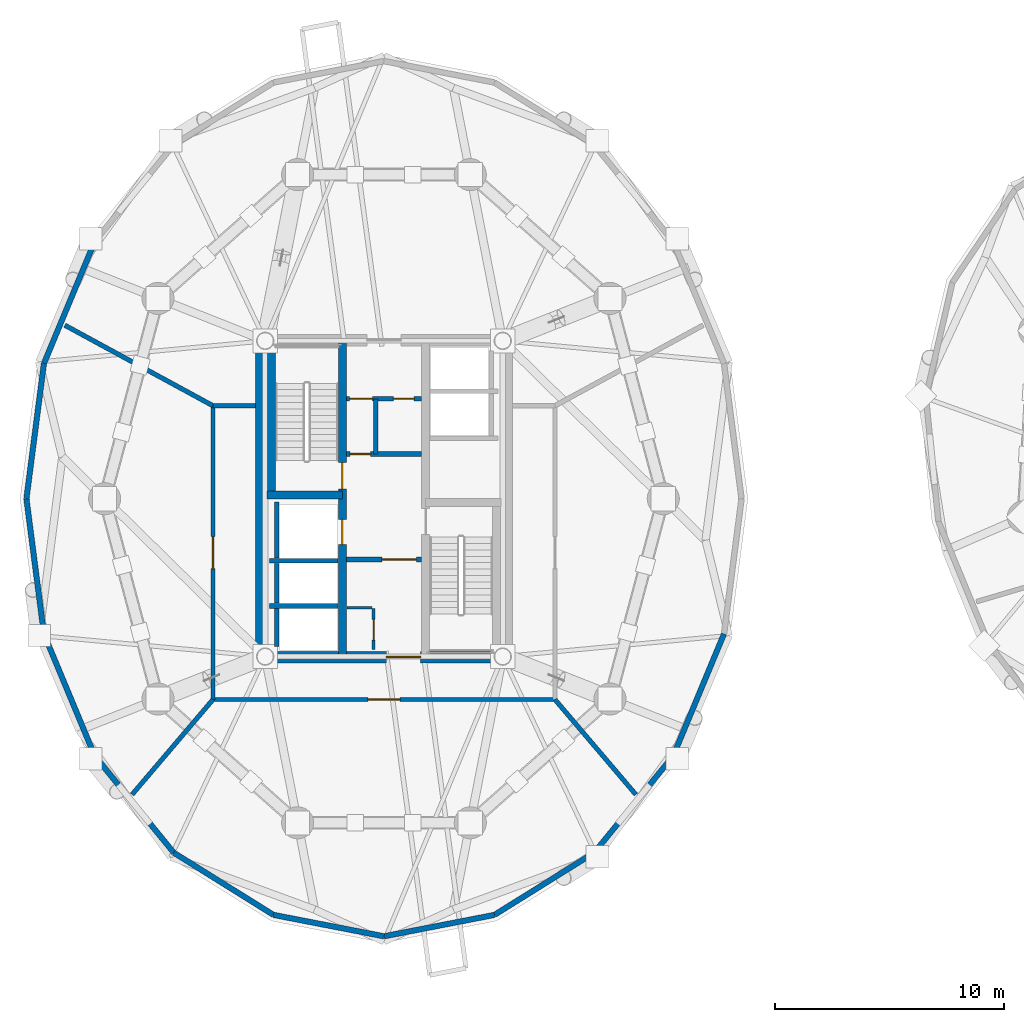
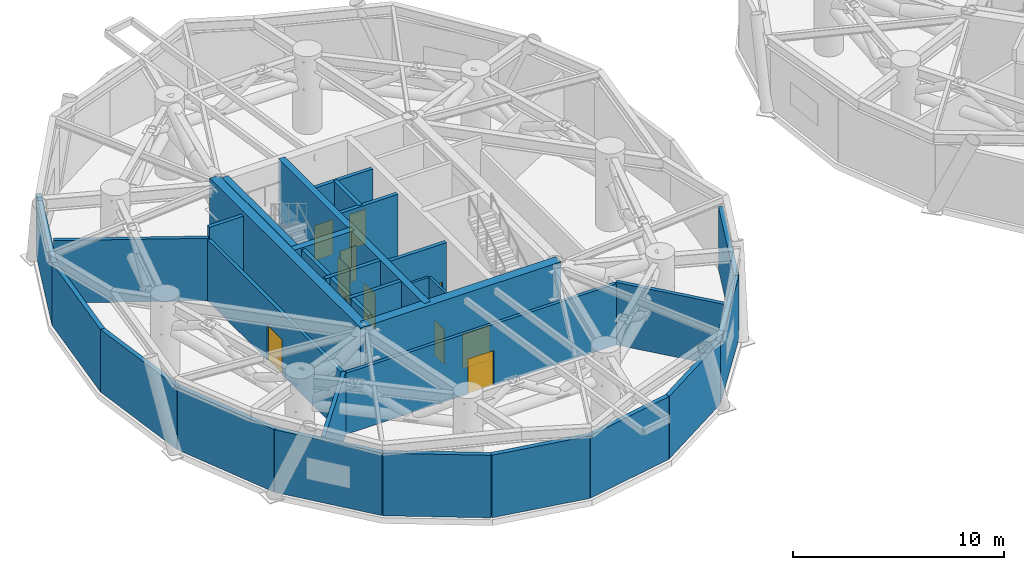
# One storey, part 10 of 16: 33 walls, 10 doors, 10 openings.
"""IFC4 building model written with IfcOpenShell, lengths in metres."""

from ifc_helpers import new_model, si_unit, direction, frame, frame_2d, origin, place, context, subcontext, project, spatial, rectangle, extrude, source, transform, mapped, material, layer, layer_set, type_object, element, fill, save


model = new_model("IFC4")

# Units and contexts
model_context = context("Model", 3, precision=1e-05, world=origin(), true_north=direction((0.0, 1.0)))
body_context = subcontext(model_context, "Body", "Model", "MODEL_VIEW")
ifc_project = project(units=[si_unit("LENGTHUNIT", "METRE"), si_unit("AREAUNIT", "SQUARE_METRE"), si_unit("VOLUMEUNIT", "CUBIC_METRE"), si_unit("PLANEANGLEUNIT", "RADIAN"), si_unit("MASSUNIT", "GRAM", prefix="KILO")], contexts=[model_context])

# Site, building, storey
site_placement = place(None, origin())
site = spatial("IfcSite", under=ifc_project, at=site_placement, CompositionType="ELEMENT")
building_placement = place(site_placement, origin())
building = spatial("IfcBuilding", under=site, at=building_placement, Name="Cununo Teusaquillo Station Towers", CompositionType="ELEMENT")
storey_placement = place(building_placement, frame((0.0, 0.0, 65.64990234375)))
storey = spatial("IfcBuildingStorey", under=building, at=storey_placement, Name="L20", CompositionType="ELEMENT", Elevation=65.64990234375)

# Walls
ifc_material_1 = material(Name="Concrete C50/60", Category="concrete")
ifc_layer_1 = layer(ifc_material_1, 0.199951171875)
ifc_layer_set_1 = layer_set([ifc_layer_1], Name="Concrete C50/60")
wall_type_1 = type_object("IfcWallType", Name="WL-CORE-200", PredefinedType="SHEAR", material=ifc_layer_set_1)
wall_1_placement = place(storey_placement, frame((11.52001953125, 21.800048828125, 0.0), z_axis=(0.0, 0.0, 1.0), x_axis=(1.0, 0.0, 0.0)))
element("IfcWall", 1, at=wall_1_placement, inside=storey, type_object=wall_type_1, Name="L20 Tower A Firefighting Lift Shaft South Shear Wall", PredefinedType="SHEAR", context=body_context, shape_type="SweptSolid", body=[
    extrude(rectangle(XDim=2.969970703125, YDim=0.199951171875, at=frame_2d((1.48486328125, 0.0))), origin(), (0.0, 0.0, 1.0), 4.5),
])
wall_2_placement = place(storey_placement, frame((11.820068359375, 21.919921875, 0.0), z_axis=(0.0, 0.0, 1.0), x_axis=(0.0, 1.0, 0.0)))
element("IfcWall", 2, at=wall_2_placement, inside=storey, type_object=wall_type_1, Name="L20 Tower A Firefighting Lift Shaft Rear Shear Wall", PredefinedType="SHEAR", context=body_context, shape_type="SweptSolid", body=[
    extrude(rectangle(XDim=2.440185546875, YDim=0.199951171875, at=frame_2d((1.22021484375, 0.0))), origin(), (0.0, 0.0, 1.0), 4.5),
])
wall_3_placement = place(storey_placement, frame((11.52001953125, 19.824951171875, 0.0), z_axis=(0.0, 0.0, 1.0), x_axis=(1.0, 0.0, 0.0)))
element("IfcWall", 3, at=wall_3_placement, inside=storey, type_object=wall_type_1, Name="L20 Tower A High-Rise Lift Hoistway Divider Shear Wall", PredefinedType="SHEAR", context=body_context, shape_type="SweptSolid", body=[
    extrude(rectangle(XDim=2.969970703125, YDim=0.199951171875, at=frame_2d((1.48486328125, 0.0))), origin(), (0.0, 0.0, 1.0), 4.5),
])
wall_4_placement = place(storey_placement, frame((11.820068359375, 19.945068359375, 0.0), z_axis=(0.0, 0.0, 1.0), x_axis=(0.0, 1.0, 0.0)))
element("IfcWall", 4, at=wall_4_placement, inside=storey, type_object=wall_type_1, Name="L20 Tower A High-Rise Lift 2 Shaft Rear Shear Wall", PredefinedType="SHEAR", context=body_context, shape_type="SweptSolid", body=[
    extrude(rectangle(XDim=1.73486328125, YDim=0.199951171875, at=frame_2d((0.867431640625, 0.0))), origin(), (0.0, 0.0, 1.0), 4.5),
])
wall_5_placement = place(storey_placement, frame((11.820068359375, 18.070068359375, 0.0), z_axis=(0.0, 0.0, 1.0), x_axis=(0.0, 1.0, 0.0)))
element("IfcWall", 5, at=wall_5_placement, inside=storey, type_object=wall_type_1, Name="L20 Tower A High-Rise Lift 1 Shaft Rear Shear Wall", PredefinedType="SHEAR", context=body_context, shape_type="SweptSolid", body=[
    extrude(rectangle(XDim=1.635009765625, YDim=0.199951171875, at=frame_2d((0.8173828125, 0.0))), origin(), (0.0, 0.0, 1.0), 4.5),
])

# Wall, openings, doors
ifc_material_2 = material(Name="Concrete C50/60", Category="concrete")
ifc_layer_2 = layer(ifc_material_2, 0.35009765625)
ifc_layer_set_2 = layer_set([ifc_layer_2], Name="Concrete C50/60")
wall_type_2 = type_object("IfcWallType", Name="WL-CORE-350", PredefinedType="SHEAR", material=ifc_layer_set_2)
wall_6_placement = place(storey_placement, frame((14.68505859375, 17.60009765625, 0.0), z_axis=(0.0, 0.0, 1.0), x_axis=(0.0, 1.0, 0.0)))
wall_6 = element("IfcWall", 6, at=wall_6_placement, inside=storey, type_object=wall_type_2, Name="L20 Tower A Core Shear Wall IW", PredefinedType="SHEAR", context=body_context, shape_type="SweptSolid", body=[
    extrude(rectangle(XDim=13.7998046875, YDim=0.35009765625, at=frame_2d((6.89990234375, 0.0))), origin(), (0.0, 0.0, 1.0), 4.5),
])
shared_shape_1 = source(origin(), body_context, "Body", "SweptSolid", [
    extrude(rectangle(XDim=1.10009765625, YDim=2.014892578125, at=frame_2d((0.550048828125, 1.00732421875))), frame((0.0, 0.18505859375, 0.0), z_axis=(0.0, -1.0, 0.0), x_axis=(1.0, 0.0, 0.0)), (0.0, 0.0, 1.0), 0.3701171875),
])
opening_1_placement = place(wall_6_placement, frame((4.89990234375, 0.0, 0.0)))
opening_1 = element("IfcOpeningElement", 7, at=opening_1_placement, cuts=wall_6, Name="Opening LD-01", PredefinedType="OPENING", context=body_context, shape_type="MappedRepresentation", body=[
    mapped(shared_shape_1, transform((0.0, 0.0, 0.0), x_axis=(1.0, 0.0, 0.0), y_axis=(0.0, 1.0, 0.0), z_axis=(0.0, 0.0, 1.0), scale=1.0)),
])
shared_shape_2 = source(origin(), body_context, "Body", "SweptSolid", [
    extrude(rectangle(XDim=1.14990234375, YDim=2.02001953125, at=frame_2d((0.574951171875, 1.010009765625))), frame((0.0, 0.18505859375, 0.0), z_axis=(0.0, -1.0, 0.0), x_axis=(1.0, 0.0, 0.0)), (0.0, 0.0, 1.0), 0.3701171875),
])
opening_2_placement = place(wall_6_placement, frame((7.320068359375, 0.0, 0.0)))
opening_2 = element("IfcOpeningElement", 8, at=opening_2_placement, cuts=wall_6, Name="Opening D-ST1", PredefinedType="OPENING", context=body_context, shape_type="MappedRepresentation", body=[
    mapped(shared_shape_2, transform((0.0, 0.0, 0.0), x_axis=(1.0, 0.0, 0.0), y_axis=(0.0, 1.0, 0.0), z_axis=(0.0, 0.0, 1.0), scale=1.0)),
])
ifc_material_3 = material(Name="Galvanised fire-rated hollow steel door assembly", Category="steel")
door_type_1 = type_object("IfcDoorType", Name="DR-LIFT-1100", OperationType="SLIDING_TO_LEFT", PredefinedType="DOOR", material=ifc_material_3)
shared_shape_3 = source(origin(), body_context, "Body", "SweptSolid", [
    extrude(rectangle(XDim=1.10009765625, YDim=2.014892578125, at=frame_2d((0.550048828125, 1.00732421875))), frame((0.0, 0.02490234375, 0.0), z_axis=(0.0, -1.0, 0.0), x_axis=(1.0, 0.0, 0.0)), (0.0, 0.0, 1.0), 0.050048828125),
])
door_1_placement = place(opening_1_placement, origin())
door_1 = element("IfcDoor", 9, at=door_1_placement, inside=storey, type_object=door_type_1, Name="L20 Lift FL-T1 Sliding Landing Door", OperationType="SLIDING_TO_LEFT", OverallHeight=2.014892578125, OverallWidth=1.10009765625, PredefinedType="DOOR", context=body_context, shape_type="MappedRepresentation", body=[
    mapped(shared_shape_3, transform((0.0, 0.0, 0.0), x_axis=(1.0, 0.0, 0.0), y_axis=(0.0, 1.0, 0.0), z_axis=(0.0, 0.0, 1.0), scale=1.0)),
])
fill(opening_1, door_1)
ifc_material_4 = material(Name="Galvanised fire-rated hollow steel door assembly", Category="steel")
door_type_2 = type_object("IfcDoorType", Name="DR-STAIR-1150", OperationType="NOTDEFINED", PredefinedType="DOOR", material=ifc_material_4)
shared_shape_4 = source(origin(), body_context, "Body", "SweptSolid", [
    extrude(rectangle(XDim=1.14990234375, YDim=2.02001953125, at=frame_2d((0.574951171875, 1.010009765625))), frame((0.0, 0.02490234375, 0.0), z_axis=(0.0, -1.0, 0.0), x_axis=(1.0, 0.0, 0.0)), (0.0, 0.0, 1.0), 0.050048828125),
])
door_2_placement = place(opening_2_placement, origin())
door_2 = element("IfcDoor", 10, at=door_2_placement, inside=storey, type_object=door_type_2, Name="L20 Tower A Exit Stair 1 Fire Door", OperationType="SINGLE_SWING_LEFT", OverallHeight=2.02001953125, OverallWidth=1.14990234375, PredefinedType="DOOR", context=body_context, shape_type="MappedRepresentation", body=[
    mapped(shared_shape_4, transform((0.0, 0.0, 0.0), x_axis=(1.0, 0.0, 0.0), y_axis=(0.0, 1.0, 0.0), z_axis=(0.0, 0.0, 1.0), scale=1.0)),
])
fill(opening_2, door_2)

# Walls
wall_7_placement = place(storey_placement, frame((11.594970703125, 24.655029296875, 0.0), z_axis=(0.0, 0.0, 1.0), x_axis=(0.0, 1.0, 0.0)))
element("IfcWall", 11, at=wall_7_placement, inside=storey, type_object=wall_type_2, Name="L20 Tower A Core Shear Wall ST1W", PredefinedType="SHEAR", context=body_context, shape_type="SweptSolid", body=[
    extrude(rectangle(XDim=6.744873046875, YDim=0.35009765625, at=frame_2d((3.37255859375, 0.0))), origin(), (0.0, 0.0, 1.0), 4.5),
])
wall_8_placement = place(storey_placement, frame((11.39990234375, 24.655029296875, 0.0), z_axis=(0.0, 0.0, 1.0), x_axis=(1.0, 0.0, 0.0)))
element("IfcWall", 12, at=wall_8_placement, inside=storey, type_object=wall_type_2, Name="L20 Tower A Core Shear Wall ST1S", PredefinedType="SHEAR", context=body_context, shape_type="SweptSolid", body=[
    extrude(rectangle(XDim=3.28515625, YDim=0.35009765625, at=frame_2d((1.642578125, 0.0))), origin(), (0.0, 0.0, 1.0), 4.5),
])
ifc_material_5 = material(Name="Concrete C60/75", Category="concrete")
ifc_layer_3 = layer(ifc_material_5, 0.5)
ifc_layer_set_3 = layer_set([ifc_layer_3], Name="Concrete C60/75")
wall_type_3 = type_object("IfcWallType", Name="WL-CORE-500", PredefinedType="SHEAR", material=ifc_layer_set_3)
wall_9_placement = place(storey_placement, frame((11.14990234375, 17.35009765625, 0.0), z_axis=(0.0, 0.0, 1.0), x_axis=(0.0, 1.0, 0.0)))
element("IfcWall", 13, at=wall_9_placement, inside=storey, type_object=wall_type_3, Name="L20 Tower A Core Shear Wall W", PredefinedType="SHEAR", context=body_context, shape_type="SweptSolid", body=[
    extrude(rectangle(XDim=14.2998046875, YDim=0.5, at=frame_2d((7.14990234375, 0.0))), origin(), (0.0, 0.0, 1.0), 4.5),
])

# Wall, opening, door
wall_10_placement = place(storey_placement, frame((11.14990234375, 17.60009765625, 0.0), z_axis=(0.0, 0.0, 1.0), x_axis=(1.0, 0.0, 0.0)))
wall_10 = element("IfcWall", 14, at=wall_10_placement, inside=storey, type_object=wall_type_3, Name="L20 Tower A Core Shear Wall S", PredefinedType="SHEAR", context=body_context, shape_type="SweptSolid", body=[
    extrude(rectangle(XDim=10.7001953125, YDim=0.5, at=frame_2d((5.35009765625, 0.0))), origin(), (0.0, 0.0, 1.0), 4.5),
])
shared_shape_5 = source(origin(), body_context, "Body", "SweptSolid", [
    extrude(rectangle(XDim=1.5, YDim=2.02001953125, at=frame_2d((0.75, 1.010009765625))), frame((0.0, 0.260009765625, 0.0), z_axis=(0.0, -1.0, 0.0), x_axis=(1.0, 0.0, 0.0)), (0.0, 0.0, 1.0), 0.52001953125),
])
opening_3_placement = place(wall_10_placement, frame((5.449951171875, 0.0, 0.0)))
opening_3 = element("IfcOpeningElement", 15, at=opening_3_placement, cuts=wall_10, Name="Opening D-LB1", PredefinedType="OPENING", context=body_context, shape_type="MappedRepresentation", body=[
    mapped(shared_shape_5, transform((0.0, 0.0, 0.0), x_axis=(1.0, 0.0, 0.0), y_axis=(0.0, 1.0, 0.0), z_axis=(0.0, 0.0, 1.0), scale=1.0)),
])
ifc_material_6 = material(Name="Galvanised fire-rated hollow steel door assembly", Category="steel")
door_type_3 = type_object("IfcDoorType", Name="DR-LOBBY-1500", OperationType="DOUBLE_DOOR_SINGLE_SWING", PredefinedType="DOOR", material=ifc_material_6)
shared_shape_6 = source(origin(), body_context, "Body", "SweptSolid", [
    extrude(rectangle(XDim=1.5, YDim=2.02001953125, at=frame_2d((0.75, 1.010009765625))), frame((0.0, 0.02490234375, 0.0), z_axis=(0.0, -1.0, 0.0), x_axis=(1.0, 0.0, 0.0)), (0.0, 0.0, 1.0), 0.050048828125),
])
door_3_placement = place(opening_3_placement, origin())
door_3 = element("IfcDoor", 16, at=door_3_placement, inside=storey, type_object=door_type_3, Name="L20 Tower A South Core Lift Lobby Door", OperationType="DOUBLE_DOOR_SINGLE_SWING", OverallHeight=2.02001953125, OverallWidth=1.5, PredefinedType="DOOR", context=body_context, shape_type="MappedRepresentation", body=[
    mapped(shared_shape_6, transform((0.0, 0.0, 0.0), x_axis=(1.0, 0.0, 0.0), y_axis=(0.0, 1.0, 0.0), z_axis=(0.0, 0.0, 1.0), scale=1.0)),
])
fill(opening_3, door_3)

# Walls
ifc_material_7 = material(Name="Precast concrete C40/50", Category="concrete")
ifc_layer_4 = layer(ifc_material_7, 0.239990234375)
ifc_layer_set_4 = layer_set([ifc_layer_4], Name="Precast concrete C40/50")
wall_type_4 = type_object("IfcWallType", Name="WL-EXT-240", PredefinedType="SOLIDWALL", material=ifc_layer_set_4)
wall_11_placement = place(storey_placement, frame((1.681640625, 30.39306640625, 0.0), z_axis=(0.0, 0.0, 1.0), x_axis=(0.384344417632, 0.923189779317, 0.0)))
element("IfcWall", 17, at=wall_11_placement, inside=storey, type_object=wall_type_4, Name="L20 Tower A Exterior Facade Wall C08", PredefinedType="SOLIDWALL", context=body_context, shape_type="SweptSolid", body=[
    extrude(rectangle(XDim=5.75830078125, YDim=0.239990234375, at=frame_2d((2.879150390625, 0.0))), origin(), (0.0, 0.0, 1.0), 3.6162109375),
])
for number, where, z_axis, x_axis, name in (
    (18, (0.9189453125, 24.5, 0.0), (0.0, 0.0, 1.0), (0.128351991996, 0.991728675672, 0.0), "L20 Tower A Exterior Facade Wall C09"),
    (19, (1.681640625, 18.60693359375, 0.0), (0.0, 0.0, 1.0), (-0.128351991996, 0.991728675672, 0.0), "L20 Tower A Exterior Facade Wall C10"),
):
    element("IfcWall", number, at=place(storey_placement, frame(where, z_axis=z_axis, x_axis=x_axis)), inside=storey, type_object=wall_type_4, Name=name, PredefinedType="SOLIDWALL", context=body_context, shape_type="SweptSolid", body=[
        extrude(rectangle(XDim=5.942138671875, YDim=0.239990234375, at=frame_2d((2.97119140625, 0.0))), origin(), (0.0, 0.0, 1.0), 3.6162109375),
    ])
wall_12_placement = place(storey_placement, frame((3.894775390625, 13.291015625, 0.0), z_axis=(0.0, 0.0, 1.0), x_axis=(-0.384344417632, 0.923189779317, 0.0)))
element("IfcWall", 20, at=wall_12_placement, inside=storey, type_object=wall_type_4, Name="L20 Tower A Exterior Facade Wall C11", PredefinedType="SOLIDWALL", context=body_context, shape_type="SweptSolid", body=[
    extrude(rectangle(XDim=5.75830078125, YDim=0.239990234375, at=frame_2d((2.879150390625, 0.0))), origin(), (0.0, 0.0, 1.0), 3.6162109375),
])
wall_13_placement = place(storey_placement, frame((7.341796875, 9.072021484375, 0.0), z_axis=(0.0, 0.0, 1.0), x_axis=(-0.632700781152, 0.77439635945, 0.0)))
element("IfcWall", 21, at=wall_13_placement, inside=storey, type_object=wall_type_4, Name="L20 Tower A Exterior Facade Wall C12", PredefinedType="SOLIDWALL", context=body_context, shape_type="SweptSolid", body=[
    extrude(rectangle(XDim=5.447998046875, YDim=0.239990234375, at=frame_2d((2.72412109375, 0.0))), origin(), (0.0, 0.0, 1.0), 3.6162109375),
])
wall_14_placement = place(storey_placement, frame((11.685302734375, 6.36328125, 0.0), z_axis=(0.0, 0.0, 1.0), x_axis=(-0.848520380187, 0.529162701263, 0.0)))
element("IfcWall", 22, at=wall_14_placement, inside=storey, type_object=wall_type_4, Name="L20 Tower A Exterior Facade Wall C13", PredefinedType="SOLIDWALL", context=body_context, shape_type="SweptSolid", body=[
    extrude(rectangle(XDim=5.118896484375, YDim=0.239990234375, at=frame_2d((2.5595703125, 0.0))), origin(), (0.0, 0.0, 1.0), 3.6162109375),
])
for number, where, z_axis, x_axis, name in (
    (23, (16.5, 5.429931640625, 0.0), (0.0, 0.0, 1.0), (-0.981723785992, 0.190311344954, 0.0), "L20 Tower A Exterior Facade Wall C14"),
    (24, (21.314697265625, 6.36328125, 0.0), (0.0, 0.0, 1.0), (-0.981723785992, -0.190311344954, 0.0), "L20 Tower A Exterior Facade Wall C15"),
):
    element("IfcWall", number, at=place(storey_placement, frame(where, z_axis=z_axis, x_axis=x_axis)), inside=storey, type_object=wall_type_4, Name=name, PredefinedType="SOLIDWALL", context=body_context, shape_type="SweptSolid", body=[
        extrude(rectangle(XDim=4.904296875, YDim=0.239990234375, at=frame_2d((2.4521484375, 0.0))), origin(), (0.0, 0.0, 1.0), 3.6162109375),
    ])
wall_15_placement = place(storey_placement, frame((25.658203125, 9.072021484375, 0.0), z_axis=(0.0, 0.0, 1.0), x_axis=(-0.848520380187, -0.529162701263, 0.0)))
element("IfcWall", 25, at=wall_15_placement, inside=storey, type_object=wall_type_4, Name="L20 Tower A Exterior Facade Wall C16", PredefinedType="SOLIDWALL", context=body_context, shape_type="SweptSolid", body=[
    extrude(rectangle(XDim=5.118896484375, YDim=0.239990234375, at=frame_2d((2.5595703125, 0.0))), origin(), (0.0, 0.0, 1.0), 3.6162109375),
])
wall_16_placement = place(storey_placement, frame((29.105224609375, 13.291015625, 0.0), z_axis=(0.0, 0.0, 1.0), x_axis=(-0.632700781152, -0.77439635945, 0.0)))
element("IfcWall", 26, at=wall_16_placement, inside=storey, type_object=wall_type_4, Name="L20 Tower A Exterior Facade Wall C17", PredefinedType="SOLIDWALL", context=body_context, shape_type="SweptSolid", body=[
    extrude(rectangle(XDim=5.447998046875, YDim=0.239990234375, at=frame_2d((2.72412109375, 0.0))), origin(), (0.0, 0.0, 1.0), 3.6162109375),
])
wall_17_placement = place(storey_placement, frame((31.318359375, 18.60693359375, 0.0), z_axis=(0.0, 0.0, 1.0), x_axis=(-0.384344417632, -0.923189779317, 0.0)))
element("IfcWall", 27, at=wall_17_placement, inside=storey, type_object=wall_type_4, Name="L20 Tower A Exterior Facade Wall C18", PredefinedType="SOLIDWALL", context=body_context, shape_type="SweptSolid", body=[
    extrude(rectangle(XDim=5.75830078125, YDim=0.239990234375, at=frame_2d((2.879150390625, 0.0))), origin(), (0.0, 0.0, 1.0), 3.6162109375),
])

# Wall, opening, door
ifc_material_8 = material(Name="Fire-rated gypsum plasterboard partition assembly", Category="gypsum")
ifc_layer_5 = layer(ifc_material_8, 0.125)
ifc_layer_set_5 = layer_set([ifc_layer_5], Name="Fire-rated gypsum plasterboard partition assembly")
wall_type_5 = type_object("IfcWallType", Name="WL-PART-125", PredefinedType="PARTITIONING", material=ifc_layer_set_5)
wall_18_placement = place(storey_placement, frame((16.050048828125, 17.919921875, 0.0), z_axis=(0.0, 0.0, 1.0), x_axis=(0.0, 1.0, 0.0)))
wall_18 = element("IfcWall", 28, at=wall_18_placement, inside=storey, type_object=wall_type_5, Name="L20 Tower A South-West Compact Store East Wall", PredefinedType="PARTITIONING", context=body_context, shape_type="SweptSolid", body=[
    extrude(rectangle(XDim=1.800048828125, YDim=0.125, at=frame_2d((0.89990234375, 0.0))), origin(), (0.0, 0.0, 1.0), 4.2451171875),
])
shared_shape_7 = source(origin(), body_context, "Body", "SweptSolid", [
    extrude(rectangle(XDim=0.89990234375, YDim=2.0048828125, at=frame_2d((0.449951171875, 1.00244140625))), frame((0.0, 0.072509765625, 0.0), z_axis=(0.0, -1.0, 0.0), x_axis=(1.0, 0.0, 0.0)), (0.0, 0.0, 1.0), 0.14501953125),
])
opening_4_placement = place(wall_18_placement, frame((0.419921875, 0.0, 0.0)))
opening_4 = element("IfcOpeningElement", 29, at=opening_4_placement, cuts=wall_18, Name="Opening D-SR1", PredefinedType="OPENING", context=body_context, shape_type="MappedRepresentation", body=[
    mapped(shared_shape_7, transform((0.0, 0.0, 0.0), x_axis=(1.0, 0.0, 0.0), y_axis=(0.0, 1.0, 0.0), z_axis=(0.0, 0.0, 1.0), scale=1.0)),
])
ifc_material_9 = material(Name="Galvanised fire-rated hollow steel door assembly", Category="steel")
door_type_4 = type_object("IfcDoorType", Name="DR-STORE-900", OperationType="NOTDEFINED", PredefinedType="DOOR", material=ifc_material_9)
shared_shape_8 = source(origin(), body_context, "Body", "SweptSolid", [
    extrude(rectangle(XDim=0.89990234375, YDim=2.0048828125, at=frame_2d((0.449951171875, 1.00244140625))), frame((0.0, 0.02490234375, 0.0), z_axis=(0.0, -1.0, 0.0), x_axis=(1.0, 0.0, 0.0)), (0.0, 0.0, 1.0), 0.050048828125),
])
door_4_placement = place(opening_4_placement, origin())
door_4 = element("IfcDoor", 30, at=door_4_placement, inside=storey, type_object=door_type_4, Name="L20 Tower A Core Electrical & Comms Store Door", OperationType="SINGLE_SWING_LEFT", OverallHeight=2.0048828125, OverallWidth=0.89990234375, PredefinedType="DOOR", context=body_context, shape_type="MappedRepresentation", body=[
    mapped(shared_shape_8, transform((0.0, 0.0, 0.0), x_axis=(1.0, 0.0, 0.0), y_axis=(0.0, 1.0, 0.0), z_axis=(0.0, 0.0, 1.0), scale=1.0)),
])
fill(opening_4, door_4)

# Wall
wall_19_placement = place(storey_placement, frame((14.8798828125, 19.75, 0.0), z_axis=(0.0, 0.0, 1.0), x_axis=(1.0, 0.0, 0.0)))
element("IfcWall", 31, at=wall_19_placement, inside=storey, type_object=wall_type_5, Name="L20 Tower A South-West Compact Store North Wall", PredefinedType="PARTITIONING", context=body_context, shape_type="SweptSolid", body=[
    extrude(rectangle(XDim=1.10009765625, YDim=0.125, at=frame_2d((0.550048828125, 0.0))), origin(), (0.0, 0.0, 1.0), 4.2451171875),
])

# Wall, opening, door
ifc_material_10 = material(Name="Fire-rated gypsum plasterboard partition assembly", Category="gypsum")
ifc_layer_6 = layer(ifc_material_10, 0.179931640625)
ifc_layer_set_6 = layer_set([ifc_layer_6], Name="Fire-rated gypsum plasterboard partition assembly")
wall_type_6 = type_object("IfcWallType", Name="WL-PART-180", PredefinedType="PARTITIONING", material=ifc_layer_set_6)
wall_20_placement = place(storey_placement, frame((9.050048828125, 15.75, 0.0), z_axis=(0.0, 0.0, 1.0), x_axis=(1.0, 0.0, 0.0)))
wall_20 = element("IfcWall", 32, at=wall_20_placement, inside=storey, type_object=wall_type_6, Name="L20 Tower A Protected Plant Corridor Wall S", PredefinedType="PARTITIONING", context=body_context, shape_type="SweptSolid", body=[
    extrude(rectangle(XDim=14.89990234375, YDim=0.179931640625, at=frame_2d((7.449951171875, 0.0))), origin(), (0.0, 0.0, 1.0), 3.5361328125),
])
shared_shape_9 = source(origin(), body_context, "Body", "SweptSolid", [
    extrude(rectangle(XDim=1.39990234375, YDim=2.02001953125, at=frame_2d((0.699951171875, 1.010009765625))), frame((0.0, 0.099853515625, 0.0), z_axis=(0.0, -1.0, 0.0), x_axis=(1.0, 0.0, 0.0)), (0.0, 0.0, 1.0), 0.199951171875),
])
opening_5_placement = place(wall_20_placement, frame((6.75, 0.0, 0.0)))
opening_5 = element("IfcOpeningElement", 33, at=opening_5_placement, cuts=wall_20, Name="Opening D-PL1", PredefinedType="OPENING", context=body_context, shape_type="MappedRepresentation", body=[
    mapped(shared_shape_9, transform((0.0, 0.0, 0.0), x_axis=(1.0, 0.0, 0.0), y_axis=(0.0, 1.0, 0.0), z_axis=(0.0, 0.0, 1.0), scale=1.0)),
])
ifc_material_11 = material(Name="Galvanised fire-rated hollow steel door assembly", Category="steel")
door_type_5 = type_object("IfcDoorType", Name="DR-PLANT-1400", OperationType="NOTDEFINED", PredefinedType="DOOR", material=ifc_material_11)
shared_shape_10 = source(origin(), body_context, "Body", "SweptSolid", [
    extrude(rectangle(XDim=1.39990234375, YDim=2.02001953125, at=frame_2d((0.699951171875, 1.010009765625))), frame((0.0, 0.02490234375, 0.0), z_axis=(0.0, -1.0, 0.0), x_axis=(1.0, 0.0, 0.0)), (0.0, 0.0, 1.0), 0.050048828125),
])
door_5_placement = place(opening_5_placement, origin())
door_5 = element("IfcDoor", 34, at=door_5_placement, inside=storey, type_object=door_type_5, Name="L20 Tower A Plant Room S Double Door", OperationType="SINGLE_SWING_LEFT", OverallHeight=2.02001953125, OverallWidth=1.39990234375, PredefinedType="DOOR", context=body_context, shape_type="MappedRepresentation", body=[
    mapped(shared_shape_10, transform((0.0, 0.0, 0.0), x_axis=(1.0, 0.0, 0.0), y_axis=(0.0, 1.0, 0.0), z_axis=(0.0, 0.0, 1.0), scale=1.0)),
])
fill(opening_5, door_5)

wall_21_placement = place(storey_placement, frame((9.050048828125, 15.75, 0.0), z_axis=(0.0, 0.0, 1.0), x_axis=(0.0, 1.0, 0.0)))
wall_21 = element("IfcWall", 35, at=wall_21_placement, inside=storey, type_object=wall_type_6, Name="L20 Tower A Protected Plant Corridor Wall W", PredefinedType="PARTITIONING", context=body_context, shape_type="SweptSolid", body=[
    extrude(rectangle(XDim=12.800048828125, YDim=0.179931640625, at=frame_2d((6.39990234375, 0.0))), origin(), (0.0, 0.0, 1.0), 3.5361328125),
])
opening_6_placement = place(wall_21_placement, frame((5.699951171875, 0.0, 0.0)))
opening_6 = element("IfcOpeningElement", 36, at=opening_6_placement, cuts=wall_21, Name="Opening D-PL1", PredefinedType="OPENING", context=body_context, shape_type="MappedRepresentation", body=[
    mapped(shared_shape_9, transform((0.0, 0.0, 0.0), x_axis=(1.0, 0.0, 0.0), y_axis=(0.0, 1.0, 0.0), z_axis=(0.0, 0.0, 1.0), scale=1.0)),
])
door_6_placement = place(opening_6_placement, origin())
door_6 = element("IfcDoor", 37, at=door_6_placement, inside=storey, type_object=door_type_5, Name="L20 Tower A Plant Room W Double Door", OperationType="SINGLE_SWING_RIGHT", OverallHeight=2.02001953125, OverallWidth=1.39990234375, PredefinedType="DOOR", context=body_context, shape_type="MappedRepresentation", body=[
    mapped(shared_shape_10, transform((0.0, 0.0, 0.0), x_axis=(1.0, 0.0, 0.0), y_axis=(0.0, 1.0, 0.0), z_axis=(0.0, 0.0, 1.0), scale=1.0)),
])
fill(opening_6, door_6)

ifc_material_12 = material(Name="Fire-rated gypsum plasterboard partition assembly", Category="gypsum")
ifc_layer_7 = layer(ifc_material_12, 0.199951171875)
ifc_layer_set_7 = layer_set([ifc_layer_7], Name="Fire-rated gypsum plasterboard partition assembly")
wall_type_7 = type_object("IfcWallType", Name="WL-PART-200", PredefinedType="PARTITIONING", material=ifc_layer_set_7)
wall_22_placement = place(storey_placement, frame((14.860107421875, 21.85009765625, 0.0), z_axis=(0.0, 0.0, 1.0), x_axis=(1.0, 0.0, 0.0)))
wall_22 = element("IfcWall", 38, at=wall_22_placement, inside=storey, type_object=wall_type_7, Name="L20 Tower A Firefighting Lift Lobby South Fire Wall", PredefinedType="PARTITIONING", context=body_context, shape_type="SweptSolid", body=[
    extrude(rectangle(XDim=3.27978515625, YDim=0.199951171875, at=frame_2d((1.639892578125, 0.0))), origin(), (0.0, 0.0, 1.0), 4.2451171875),
])
shared_shape_11 = source(origin(), body_context, "Body", "SweptSolid", [
    extrude(rectangle(XDim=1.5, YDim=2.02001953125, at=frame_2d((0.75, 1.010009765625))), frame((0.0, 0.10986328125, 0.0), z_axis=(0.0, -1.0, 0.0), x_axis=(1.0, 0.0, 0.0)), (0.0, 0.0, 1.0), 0.219970703125),
])
opening_7_placement = place(wall_22_placement, frame((1.550048828125, 0.0, 0.0)))
opening_7 = element("IfcOpeningElement", 39, at=opening_7_placement, cuts=wall_22, Name="Opening D-LB1", PredefinedType="OPENING", context=body_context, shape_type="MappedRepresentation", body=[
    mapped(shared_shape_11, transform((0.0, 0.0, 0.0), x_axis=(1.0, 0.0, 0.0), y_axis=(0.0, 1.0, 0.0), z_axis=(0.0, 0.0, 1.0), scale=1.0)),
])
door_7_placement = place(opening_7_placement, origin())
door_7 = element("IfcDoor", 40, at=door_7_placement, inside=storey, type_object=door_type_3, Name="L20 Tower A Firefighting Lift Lobby South Fire Door", OperationType="DOUBLE_DOOR_SINGLE_SWING", OverallHeight=2.02001953125, OverallWidth=1.5, PredefinedType="DOOR", context=body_context, shape_type="MappedRepresentation", body=[
    mapped(shared_shape_6, transform((0.0, 0.0, 0.0), x_axis=(1.0, 0.0, 0.0), y_axis=(0.0, 1.0, 0.0), z_axis=(0.0, 0.0, 1.0), scale=1.0)),
])
fill(opening_7, door_7)

wall_23_placement = place(storey_placement, frame((14.860107421875, 26.449951171875, 0.0), z_axis=(0.0, 0.0, 1.0), x_axis=(1.0, 0.0, 0.0)))
wall_23 = element("IfcWall", 41, at=wall_23_placement, inside=storey, type_object=wall_type_7, Name="L20 Tower A Firefighting Lift Lobby North Fire Wall", PredefinedType="PARTITIONING", context=body_context, shape_type="SweptSolid", body=[
    extrude(rectangle(XDim=3.27978515625, YDim=0.199951171875, at=frame_2d((1.639892578125, 0.0))), origin(), (0.0, 0.0, 1.0), 4.2451171875),
])
shared_shape_12 = source(origin(), body_context, "Body", "SweptSolid", [
    extrude(rectangle(XDim=0.89990234375, YDim=2.0048828125, at=frame_2d((0.449951171875, 1.00244140625))), frame((0.0, 0.10986328125, 0.0), z_axis=(0.0, -1.0, 0.0), x_axis=(1.0, 0.0, 0.0)), (0.0, 0.0, 1.0), 0.219970703125),
])
opening_8_placement = place(wall_23_placement, frame((0.159912109375, 0.0, 0.0)))
opening_8 = element("IfcOpeningElement", 42, at=opening_8_placement, cuts=wall_23, Name="Opening D-SR1", PredefinedType="OPENING", context=body_context, shape_type="MappedRepresentation", body=[
    mapped(shared_shape_12, transform((0.0, 0.0, 0.0), x_axis=(1.0, 0.0, 0.0), y_axis=(0.0, 1.0, 0.0), z_axis=(0.0, 0.0, 1.0), scale=1.0)),
])
door_8_placement = place(opening_8_placement, origin())
door_8 = element("IfcDoor", 43, at=door_8_placement, inside=storey, type_object=door_type_4, Name="L20 Tower A Stair 1 Protected Vestibule South Door", OperationType="SINGLE_SWING_LEFT", OverallHeight=2.0048828125, OverallWidth=0.89990234375, PredefinedType="DOOR", context=body_context, shape_type="MappedRepresentation", body=[
    mapped(shared_shape_8, transform((0.0, 0.0, 0.0), x_axis=(1.0, 0.0, 0.0), y_axis=(0.0, 1.0, 0.0), z_axis=(0.0, 0.0, 1.0), scale=1.0)),
])
fill(opening_8, door_8)

# Wall
wall_24_placement = place(storey_placement, frame((16.14990234375, 26.449951171875, 0.0), z_axis=(0.0, 0.0, 1.0), x_axis=(0.0, 1.0, 0.0)))
element("IfcWall", 44, at=wall_24_placement, inside=storey, type_object=wall_type_7, Name="L20 Tower A Stair 1 Vestibule Partition Wall", PredefinedType="PARTITIONING", context=body_context, shape_type="SweptSolid", body=[
    extrude(rectangle(XDim=2.400146484375, YDim=0.199951171875, at=frame_2d((1.2001953125, 0.0))), origin(), (0.0, 0.0, 1.0), 4.2451171875),
])

# Wall, openings, doors
wall_25_placement = place(storey_placement, frame((14.860107421875, 28.85009765625, 0.0), z_axis=(0.0, 0.0, 1.0), x_axis=(1.0, 0.0, 0.0)))
wall_25 = element("IfcWall", 45, at=wall_25_placement, inside=storey, type_object=wall_type_7, Name="L20 Tower A North Lift Lobby South Fire Wall", PredefinedType="PARTITIONING", context=body_context, shape_type="SweptSolid", body=[
    extrude(rectangle(XDim=3.27978515625, YDim=0.199951171875, at=frame_2d((1.639892578125, 0.0))), origin(), (0.0, 0.0, 1.0), 4.2451171875),
])
shared_shape_13 = source(origin(), body_context, "Body", "SweptSolid", [
    extrude(rectangle(XDim=1.0, YDim=2.014892578125, at=frame_2d((0.5, 1.00732421875))), frame((0.0, 0.10986328125, 0.0), z_axis=(0.0, -1.0, 0.0), x_axis=(1.0, 0.0, 0.0)), (0.0, 0.0, 1.0), 0.219970703125),
])
opening_9_placement = place(wall_25_placement, frame((0.139892578125, 0.0, 0.0)))
opening_9 = element("IfcOpeningElement", 46, at=opening_9_placement, cuts=wall_25, Name="Opening D-AC1", PredefinedType="OPENING", context=body_context, shape_type="MappedRepresentation", body=[
    mapped(shared_shape_13, transform((0.0, 0.0, 0.0), x_axis=(1.0, 0.0, 0.0), y_axis=(0.0, 1.0, 0.0), z_axis=(0.0, 0.0, 1.0), scale=1.0)),
])
opening_10_placement = place(wall_25_placement, frame((2.050048828125, 0.0, 0.0)))
opening_10 = element("IfcOpeningElement", 47, at=opening_10_placement, cuts=wall_25, Name="Opening D-SR1", PredefinedType="OPENING", context=body_context, shape_type="MappedRepresentation", body=[
    mapped(shared_shape_12, transform((0.0, 0.0, 0.0), x_axis=(1.0, 0.0, 0.0), y_axis=(0.0, 1.0, 0.0), z_axis=(0.0, 0.0, 1.0), scale=1.0)),
])
door_9_placement = place(opening_10_placement, origin())
door_9 = element("IfcDoor", 48, at=door_9_placement, inside=storey, type_object=door_type_4, Name="L20 Tower A Core Housekeeping & Linen Store Door", OperationType="SINGLE_SWING_RIGHT", OverallHeight=2.0048828125, OverallWidth=0.89990234375, PredefinedType="DOOR", context=body_context, shape_type="MappedRepresentation", body=[
    mapped(shared_shape_8, transform((0.0, 0.0, 0.0), x_axis=(1.0, 0.0, 0.0), y_axis=(0.0, 1.0, 0.0), z_axis=(0.0, 0.0, 1.0), scale=1.0)),
])
fill(opening_10, door_9)
ifc_material_13 = material(Name="Acoustic solid-core hardwood leaf assembly", Category="wood")
door_type_6 = type_object("IfcDoorType", Name="DR-ACC-1000", OperationType="NOTDEFINED", PredefinedType="DOOR", material=ifc_material_13)
shared_shape_14 = source(origin(), body_context, "Body", "SweptSolid", [
    extrude(rectangle(XDim=1.0, YDim=2.014892578125, at=frame_2d((0.5, 1.00732421875))), frame((0.0, 0.02490234375, 0.0), z_axis=(0.0, -1.0, 0.0), x_axis=(1.0, 0.0, 0.0)), (0.0, 0.0, 1.0), 0.050048828125),
])
door_10_placement = place(opening_9_placement, origin())
door_10 = element("IfcDoor", 49, at=door_10_placement, inside=storey, type_object=door_type_6, Name="L20 Tower A North Lift Lobby to Stair 1 Vestibule Door", OperationType="SINGLE_SWING_RIGHT", OverallHeight=2.014892578125, OverallWidth=1.0, PredefinedType="DOOR", context=body_context, shape_type="MappedRepresentation", body=[
    mapped(shared_shape_14, transform((0.0, 0.0, 0.0), x_axis=(1.0, 0.0, 0.0), y_axis=(0.0, 1.0, 0.0), z_axis=(0.0, 0.0, 1.0), scale=1.0)),
])
fill(opening_9, door_10)

# Walls
wall_26_placement = place(storey_placement, frame((9.050048828125, 28.550048828125, 0.0), z_axis=(0.0, 0.0, 1.0), x_axis=(1.0, 0.0, 0.0)))
element("IfcWall", 50, at=wall_26_placement, inside=storey, type_object=wall_type_7, Name="L20 Tower A Sky Refuge Smoke-Stop Wall NW", PredefinedType="PARTITIONING", context=body_context, shape_type="SweptSolid", body=[
    extrude(rectangle(XDim=1.849853515625, YDim=0.199951171875, at=frame_2d((0.9248046875, 0.0))), origin(), (0.0, 0.0, 1.0), 4.2451171875),
])
wall_27_placement = place(storey_placement, frame((9.050048828125, 28.550048828125, 0.0), z_axis=(0.0, 0.0, 1.0), x_axis=(-0.878573622909, 0.477606939992, 0.0)))
element("IfcWall", 51, at=wall_27_placement, inside=storey, type_object=wall_type_7, Name="L20 Tower A Compartment Radial Fire Wall Q1", PredefinedType="PARTITIONING", context=body_context, shape_type="SweptSolid", body=[
    extrude(rectangle(XDim=7.352294921875, YDim=0.199951171875, at=frame_2d((3.67626953125, 0.0))), origin(), (0.0, 0.0, 1.0), 3.6162109375),
])
for number, where, z_axis, x_axis, name in (
    (52, (23.949951171875, 15.75, 0.0), (0.0, 0.0, 1.0), (0.648289189653, -0.761394199202, 0.0), "L20 Tower A Compartment Radial Fire Wall Q3"),
    (53, (9.050048828125, 15.75, 0.0), (0.0, 0.0, 1.0), (-0.648289189653, -0.761394199202, 0.0), "L20 Tower A Compartment Radial Fire Wall Q4"),
):
    element("IfcWall", number, at=place(storey_placement, frame(where, z_axis=z_axis, x_axis=x_axis)), inside=storey, type_object=wall_type_7, Name=name, PredefinedType="PARTITIONING", context=body_context, shape_type="SweptSolid", body=[
        extrude(rectangle(XDim=5.439453125, YDim=0.199951171875, at=frame_2d((2.7197265625, 0.0))), origin(), (0.0, 0.0, 1.0), 3.6162109375),
    ])

save(model, "model.ifc")
